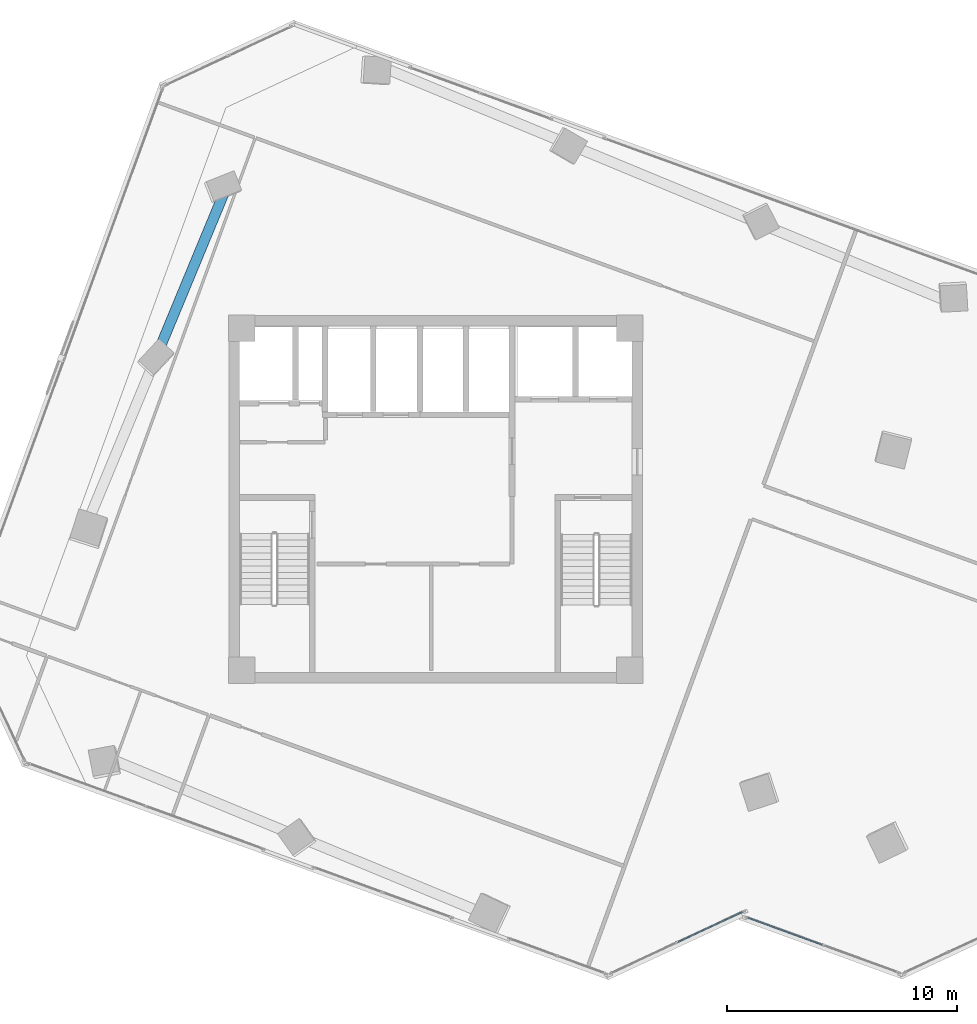
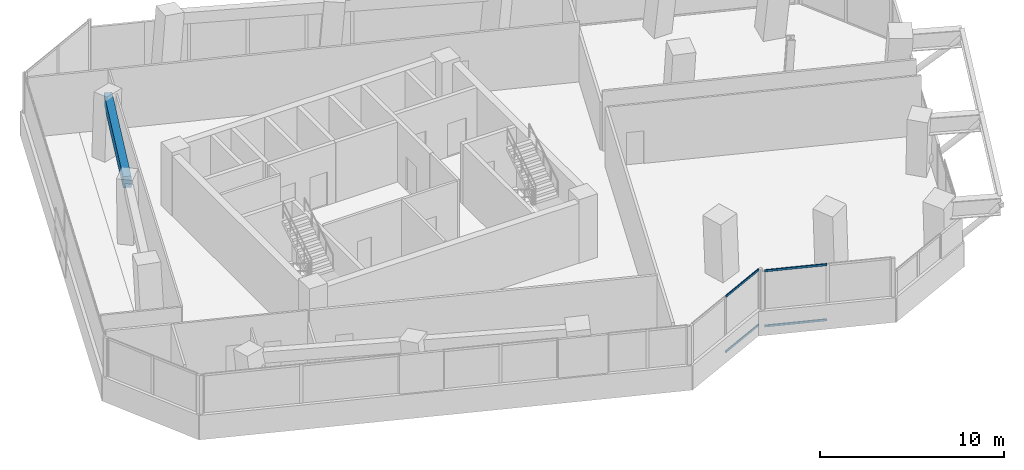
# One storey, part 7 of 21: 4 members, 1 beam, 2 elements without a shape of their own.
"""IFC4 building model written with IfcOpenShell, lengths in metres."""

from ifc_helpers import new_model, si_unit, direction, frame, origin, origin_2d, place, context, subcontext, project, spatial, rectangle, hollow_rectangle, extrude, source, transform, mapped, material, material_profile, profile_set, type_object, element, aggregate, save


model = new_model("IFC4")

# Units and contexts
model_context = context("Model", 3, precision=1e-05, world=origin(), true_north=direction((0.0, 1.0)))
body_context = subcontext(model_context, "Body", "Model", "MODEL_VIEW")
ifc_project = project(units=[si_unit("LENGTHUNIT", "METRE"), si_unit("AREAUNIT", "SQUARE_METRE"), si_unit("VOLUMEUNIT", "CUBIC_METRE"), si_unit("PLANEANGLEUNIT", "RADIAN"), si_unit("MASSUNIT", "GRAM", prefix="KILO")], contexts=[model_context])

# Site, building, storey
site_placement = place(None, origin())
site = spatial("IfcSite", under=ifc_project, at=site_placement, CompositionType="ELEMENT")
building_placement = place(site_placement, origin())
building = spatial("IfcBuilding", under=site, at=building_placement, Name="Torre Montelarca", CompositionType="ELEMENT")
storey_placement = place(building_placement, frame((0.0, 0.0, 137.199951171875)))
storey = spatial("IfcBuildingStorey", under=building, at=storey_placement, Name="L30", CompositionType="ELEMENT", Elevation=137.199951171875)

# Beam
ifc_material_1 = material(Name="Concrete C55/67", Category="concrete")
ifc_material_profile_1 = material_profile(ifc_material_1, rectangle(XDim=0.449951171875, YDim=0.75, at=origin_2d()), Name="RCB450X750", Category="concrete")
ifc_profile_set_1 = profile_set([ifc_material_profile_1], Name="Concrete C55/67")
beam_type = type_object("IfcBeamType", Name="BM-SP-RC750-EXT", PredefinedType="SPANDREL", material=ifc_profile_set_1)
shared_shape_1 = source(origin(), body_context, "Body", "SweptSolid", [
    extrude(rectangle(XDim=0.449951171875, YDim=0.75, at=origin_2d()), origin(), (0.0, 0.0, 1.0), 8.0),
])
beam_placement = place(storey_placement, frame((5.9326171875, 38.4482421875, 3.5849609375), z_axis=(0.382686001036, 0.923878468529, 0.0), x_axis=(-0.923878468529, 0.382686001036, 0.0)))
element("IfcBeam", 1, at=beam_placement, inside=storey, type_object=beam_type, Name="L30 Grid Girder Y 32.0-40.0 at X=4.7", PredefinedType="SPANDREL", context=body_context, shape_type="MappedRepresentation", body=[
    mapped(shared_shape_1, transform((0.0, 0.0, 0.0), scale=1.0)),
])

# Curtain wall, members
ifc_material_2 = material(Name="Insulated low-E laminated glass", Category="glass")
curtain_wall_type = type_object("IfcCurtainWallType", Name="CW-SYS-Z2", PredefinedType="USERDEFINED", material=ifc_material_2)
curtain_wall_1_placement = place(storey_placement, origin())
curtain_wall_1 = element("IfcCurtainWall", 2, at=curtain_wall_1_placement, inside=storey, type_object=curtain_wall_type, Name="L30 Curtain Wall Run CW-T3-L30-E02-B1", ObjectType="UNITISED GLAZING", PredefinedType="USERDEFINED")
ifc_material_3 = material(Name="Anodised aluminium AA 6063-T6", Category="aluminium")
ifc_material_profile_2 = material_profile(ifc_material_3, hollow_rectangle(XDim=0.06494140625, YDim=0.139892578125, WallThickness=0.00390625, InnerFilletRadius=0.00390625, OuterFilletRadius=0.008056640625, at=origin_2d()), Name="ALU65X140X4", Category="aluminium")
ifc_profile_set_2 = profile_set([ifc_material_profile_2], Name="Anodised aluminium AA 6063-T6")
member_type = type_object("IfcMemberType", Name="CWT-ALU140", PredefinedType="USERDEFINED", material=ifc_profile_set_2)
shared_shape_2 = source(origin(), body_context, "Body", "SweptSolid", [
    extrude(hollow_rectangle(XDim=0.06494140625, YDim=0.139892578125, WallThickness=0.00390625, InnerFilletRadius=0.00390625, OuterFilletRadius=0.008056640625, at=origin_2d()), origin(), (0.0, 0.0, 1.0), 3.102294921875),
])
member_1_placement = place(storey_placement, frame((28.54296875, 12.7236328125, 0.032470703125), z_axis=(0.906321811417, 0.422588185058, 0.0), x_axis=(-0.422588185058, 0.906321811417, 0.0)))
member_1 = element("IfcMember", 3, at=member_1_placement, type_object=member_type, Name="CW transom 2.1", ObjectType="TRANSOM", PredefinedType="USERDEFINED", context=body_context, shape_type="MappedRepresentation", body=[
    mapped(shared_shape_2, transform((0.0, 0.0, 0.0), scale=1.0)),
])
member_2_placement = place(storey_placement, frame((28.54296875, 12.7236328125, 3.6875), z_axis=(0.906321811417, 0.422588185058, 0.0), x_axis=(-0.422588185058, 0.906321811417, 0.0)))
member_2 = element("IfcMember", 4, at=member_2_placement, type_object=member_type, Name="CW transom 2.2", ObjectType="TRANSOM", PredefinedType="USERDEFINED", context=body_context, shape_type="MappedRepresentation", body=[
    mapped(shared_shape_2, transform((0.0, 0.0, 0.0), scale=1.0)),
])
aggregate(curtain_wall_1, [member_1, member_2])

curtain_wall_2_placement = place(storey_placement, origin())
curtain_wall_2 = element("IfcCurtainWall", 5, at=curtain_wall_2_placement, inside=storey, type_object=curtain_wall_type, Name="L30 Curtain Wall Run CW-T3-L30-E04-B1", ObjectType="UNITISED GLAZING", PredefinedType="USERDEFINED")
shared_shape_3 = source(origin(), body_context, "Body", "SweptSolid", [
    extrude(hollow_rectangle(XDim=0.06494140625, YDim=0.139892578125, WallThickness=0.00390625, InnerFilletRadius=0.00390625, OuterFilletRadius=0.008056640625, at=origin_2d()), origin(), (0.0, 0.0, 1.0), 3.448486328125),
])
member_3_placement = place(storey_placement, frame((31.58447265625, 13.7822265625, 0.032470703125), z_axis=(0.939692095614, -0.342021586221, 0.0), x_axis=(0.342021586221, 0.939692095614, 0.0)))
member_3 = element("IfcMember", 6, at=member_3_placement, type_object=member_type, Name="CW transom 1.1", ObjectType="TRANSOM", PredefinedType="USERDEFINED", context=body_context, shape_type="MappedRepresentation", body=[
    mapped(shared_shape_3, transform((0.0, 0.0, 0.0), scale=1.0)),
])
member_4_placement = place(storey_placement, frame((31.58447265625, 13.7822265625, 3.6875), z_axis=(0.939692095614, -0.342021586221, 0.0), x_axis=(0.342021586221, 0.939692095614, 0.0)))
member_4 = element("IfcMember", 7, at=member_4_placement, type_object=member_type, Name="CW transom 1.2", ObjectType="TRANSOM", PredefinedType="USERDEFINED", context=body_context, shape_type="MappedRepresentation", body=[
    mapped(shared_shape_3, transform((0.0, 0.0, 0.0), scale=1.0)),
])
aggregate(curtain_wall_2, [member_3, member_4])

save(model, "model.ifc")
